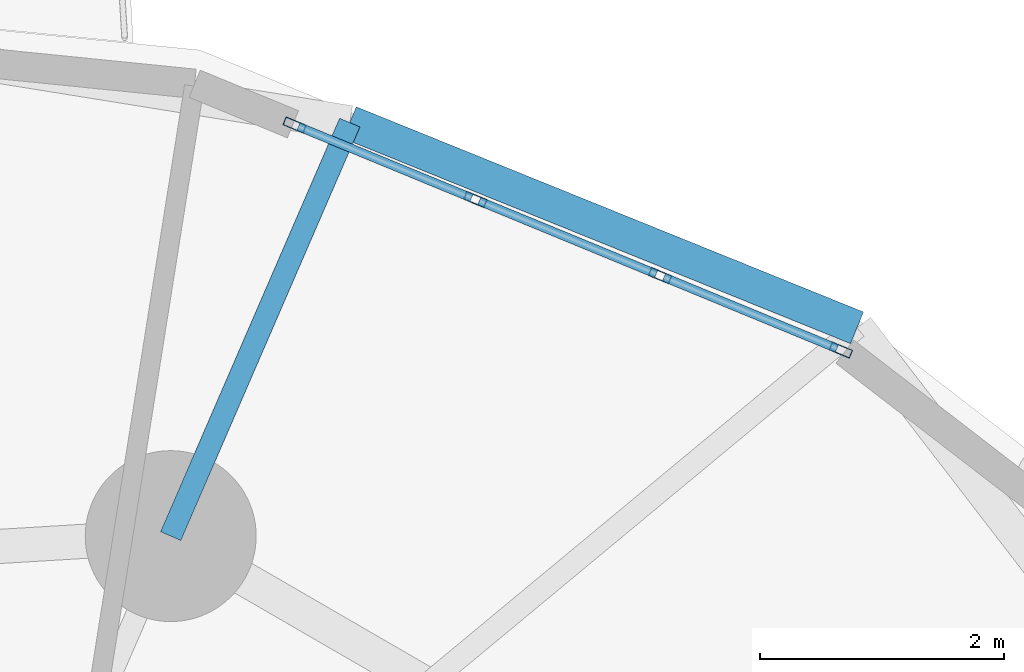
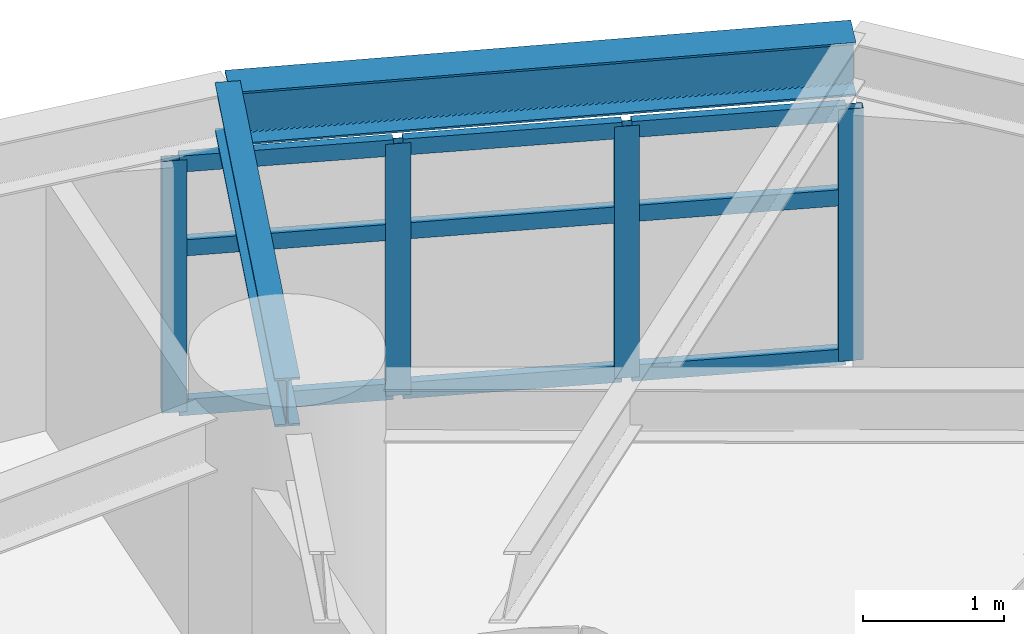
# One storey, part 6 of 17: 13 members, 2 beams, 1 element without a shape of its own.
"""IFC4 building model written with IfcOpenShell, lengths in metres."""

from ifc_helpers import new_model, si_unit, direction, frame, origin, origin_2d, place, context, subcontext, project, spatial, hollow_rectangle, i_section, extrude, material, layer, layer_set, material_profile, profile_set, type_object, element, aggregate, save


model = new_model("IFC4")

# Units and contexts
model_context = context("Model", 3, precision=1e-05, world=origin(), true_north=direction((0.0, 1.0)))
body_context = subcontext(model_context, "Body", "Model", "MODEL_VIEW")
ifc_project = project(units=[si_unit("LENGTHUNIT", "METRE"), si_unit("AREAUNIT", "SQUARE_METRE"), si_unit("VOLUMEUNIT", "CUBIC_METRE"), si_unit("PLANEANGLEUNIT", "RADIAN"), si_unit("MASSUNIT", "GRAM", prefix="KILO")], contexts=[model_context])

# Site, building, storey
site_placement = place(None, origin())
site = spatial("IfcSite", under=ifc_project, at=site_placement, CompositionType="ELEMENT")
building_placement = place(site_placement, origin())
building = spatial("IfcBuilding", under=site, at=building_placement, Name="Cununo Teusaquillo Station Towers", CompositionType="ELEMENT")
storey_placement = place(building_placement, frame((0.0, 0.0, 70.14990234375)))
storey = spatial("IfcBuildingStorey", under=building, at=storey_placement, Name="L21", CompositionType="ELEMENT", Elevation=70.14990234375)

# Beams
ifc_material_1 = material(Name="Steel ASTM A572 Grade 50", Category="steel")
ifc_material_profile_1 = material_profile(ifc_material_1, i_section(OverallWidth=0.180908203125, OverallDepth=0.4169921875, WebThickness=0.010986328125, FlangeThickness=0.018310546875, FilletRadius=0.012939453125, at=origin_2d()), Name="W16X57")
ifc_profile_set_1 = profile_set([ifc_material_profile_1], Name="Steel ASTM A572 Grade 50")
beam_type_1 = type_object("IfcBeamType", Name="BM-RAD-G2", PredefinedType="BEAM", material=ifc_profile_set_1)
beam_1_placement = place(storey_placement, frame((58.291015625, 37.63525390625, 2.461669921875), z_axis=(0.397421761279, 0.917636062751, 0.0), x_axis=(-0.917636062751, 0.397421761279, 0.0)))
element("IfcBeam", 1, at=beam_1_placement, inside=storey, type_object=beam_type_1, Name="L21 Tower B Perimeter Overhang Girder 02B", PredefinedType="BEAM", context=body_context, shape_type="SweptSolid", body=[
    extrude(i_section(OverallWidth=0.180908203125, OverallDepth=0.4169921875, WebThickness=0.010986328125, FlangeThickness=0.018310546875, FilletRadius=0.012939453125, at=origin_2d()), origin(), (0.0, 0.0, 1.0), 3.690185546875),
])
ifc_material_2 = material(Name="Steel ASTM A572 Grade 50", Category="steel")
ifc_material_profile_2 = material_profile(ifc_material_2, i_section(OverallWidth=0.280029296875, OverallDepth=0.462890625, WebThickness=0.0107421875, FlangeThickness=0.017333984375, FilletRadius=0.013916015625, at=origin_2d()), Name="W18X76")
ifc_profile_set_2 = profile_set([ifc_material_profile_2], Name="Steel ASTM A572 Grade 50")
beam_type_2 = type_object("IfcBeamType", Name="BM-RING-Z2", PredefinedType="SPANDREL", material=ifc_profile_set_2)
beam_2_placement = place(storey_placement, frame((63.9111328125, 39.341064453125, 2.4384765625), z_axis=(-0.927007712072, 0.375042266631, 0.0), x_axis=(-0.375042266631, -0.927007712072, 0.0)))
element("IfcBeam", 2, at=beam_2_placement, inside=storey, type_object=beam_type_2, Name="L21 Tower B Spandrel Ring Beam 02", PredefinedType="SPANDREL", context=body_context, shape_type="SweptSolid", body=[
    extrude(i_section(OverallWidth=0.280029296875, OverallDepth=0.462890625, WebThickness=0.0107421875, FlangeThickness=0.017333984375, FilletRadius=0.013916015625, at=origin_2d()), origin(), (0.0, 0.0, 1.0), 4.480712890625),
])

# Curtain wall, members
ifc_material_3 = material(Name="Ceramic-fritted dark low-E double glazing", Category="glass")
ifc_layer = layer(ifc_material_3, 0.179931640625)
ifc_layer_set = layer_set([ifc_layer], Name="Ceramic-fritted dark low-E double glazing")
curtain_wall_type = type_object("IfcCurtainWallType", Name="CW-SYS-04", PredefinedType="USERDEFINED", material=ifc_layer_set)
curtain_wall_placement = place(storey_placement, origin())
curtain_wall = element("IfcCurtainWall", 3, at=curtain_wall_placement, inside=storey, type_object=curtain_wall_type, Name="L21 Tower B Facade Curtain Wall C01", ObjectType="FRITTED GLAZING", PredefinedType="USERDEFINED")
ifc_material_4 = material(Name="Anodised dark bronze aluminium EN AW-6063-T6", Category="aluminium")
ifc_material_profile_3 = material_profile(ifc_material_4, hollow_rectangle(XDim=0.070068359375, YDim=0.179931640625, WallThickness=0.00390625, at=origin_2d()), Name="CW-MULL-70x180")
ifc_profile_set_3 = profile_set([ifc_material_profile_3], Name="Anodised dark bronze aluminium EN AW-6063-T6")
member_type_1 = type_object("IfcMemberType", Name="CWM-180", PredefinedType="MULLION", material=ifc_profile_set_3)
member_1_placement = place(storey_placement, frame((59.3056640625, 41.001953125, 0.0), z_axis=(0.0, 0.0, 1.0), x_axis=(0.381030560176, 0.924562443652, 0.0)))
member_1 = element("IfcMember", 4, at=member_1_placement, type_object=member_type_1, Name="CW-04 mullion 1", PredefinedType="MULLION", context=body_context, shape_type="SweptSolid", body=[
    extrude(hollow_rectangle(XDim=0.070068359375, YDim=0.179931640625, WallThickness=0.00390625, at=origin_2d()), origin(), (0.0, 0.0, 1.0), 2.17919921875),
])
member_2_placement = place(storey_placement, frame((60.785888671875, 40.39208984375, 0.0), z_axis=(0.0, 0.0, 1.0), x_axis=(0.381030560176, 0.924562443652, 0.0)))
member_2 = element("IfcMember", 5, at=member_2_placement, type_object=member_type_1, Name="CW-04 mullion 2", PredefinedType="MULLION", context=body_context, shape_type="SweptSolid", body=[
    extrude(hollow_rectangle(XDim=0.070068359375, YDim=0.179931640625, WallThickness=0.00390625, at=origin_2d()), origin(), (0.0, 0.0, 1.0), 2.17919921875),
])
member_3_placement = place(storey_placement, frame((62.298583984375, 39.7685546875, 0.0), z_axis=(0.0, 0.0, 1.0), x_axis=(0.381030560176, 0.924562443652, 0.0)))
member_3 = element("IfcMember", 6, at=member_3_placement, type_object=member_type_1, Name="CW-04 mullion 3", PredefinedType="MULLION", context=body_context, shape_type="SweptSolid", body=[
    extrude(hollow_rectangle(XDim=0.070068359375, YDim=0.179931640625, WallThickness=0.00390625, at=origin_2d()), origin(), (0.0, 0.0, 1.0), 2.17919921875),
])
member_4_placement = place(storey_placement, frame((63.77880859375, 39.158447265625, 0.0), z_axis=(0.0, 0.0, 1.0), x_axis=(0.381030560176, 0.924562443652, 0.0)))
member_4 = element("IfcMember", 7, at=member_4_placement, type_object=member_type_1, Name="CW-04 mullion 4", PredefinedType="MULLION", context=body_context, shape_type="SweptSolid", body=[
    extrude(hollow_rectangle(XDim=0.070068359375, YDim=0.179931640625, WallThickness=0.00390625, at=origin_2d()), origin(), (0.0, 0.0, 1.0), 2.17919921875),
])
ifc_material_5 = material(Name="Anodised dark bronze aluminium EN AW-6063-T6", Category="aluminium")
ifc_material_profile_4 = material_profile(ifc_material_5, hollow_rectangle(XDim=0.070068359375, YDim=0.139892578125, WallThickness=0.00390625, at=origin_2d()), Name="CW-TRAN-70x140")
ifc_profile_set_4 = profile_set([ifc_material_profile_4], Name="Anodised dark bronze aluminium EN AW-6063-T6")
member_type_2 = type_object("IfcMemberType", Name="CWT-140", PredefinedType="USERDEFINED", material=ifc_profile_set_4)
member_5_placement = place(storey_placement, frame((59.337890625, 40.98876953125, 0.03515625), z_axis=(0.924532726965, -0.381102659097, 0.0), x_axis=(0.381102659097, 0.924532726965, 0.0)))
member_5 = element("IfcMember", 8, at=member_5_placement, type_object=member_type_2, Name="CW-04 transom 1.1", ObjectType="TRANSOM", PredefinedType="USERDEFINED", context=body_context, shape_type="SweptSolid", body=[
    extrude(hollow_rectangle(XDim=0.070068359375, YDim=0.139892578125, WallThickness=0.00390625, at=origin_2d()), origin(), (0.0, 0.0, 1.0), 1.531005859375),
])
member_6_placement = place(storey_placement, frame((59.337890625, 40.98876953125, 1.416015625), z_axis=(0.924532726965, -0.381102659097, 0.0), x_axis=(0.381102659097, 0.924532726965, 0.0)))
member_6 = element("IfcMember", 9, at=member_6_placement, type_object=member_type_2, Name="CW-04 transom 1.2", ObjectType="TRANSOM", PredefinedType="USERDEFINED", context=body_context, shape_type="SweptSolid", body=[
    extrude(hollow_rectangle(XDim=0.070068359375, YDim=0.139892578125, WallThickness=0.00390625, at=origin_2d()), origin(), (0.0, 0.0, 1.0), 1.531005859375),
])
member_7_placement = place(storey_placement, frame((59.337890625, 40.98876953125, 2.14404296875), z_axis=(0.924532726965, -0.381102659097, 0.0), x_axis=(0.381102659097, 0.924532726965, 0.0)))
member_7 = element("IfcMember", 10, at=member_7_placement, type_object=member_type_2, Name="CW-04 transom 1.3", ObjectType="TRANSOM", PredefinedType="USERDEFINED", context=body_context, shape_type="SweptSolid", body=[
    extrude(hollow_rectangle(XDim=0.070068359375, YDim=0.139892578125, WallThickness=0.00390625, at=origin_2d()), origin(), (0.0, 0.0, 1.0), 1.531005859375),
])
member_8_placement = place(storey_placement, frame((60.818115234375, 40.378662109375, 0.03515625), z_axis=(0.924577983912, -0.380992849887, 0.0), x_axis=(0.380992849887, 0.924577983912, 0.0)))
member_8 = element("IfcMember", 11, at=member_8_placement, type_object=member_type_2, Name="CW-04 transom 2.1", ObjectType="TRANSOM", PredefinedType="USERDEFINED", context=body_context, shape_type="SweptSolid", body=[
    extrude(hollow_rectangle(XDim=0.070068359375, YDim=0.139892578125, WallThickness=0.00390625, at=origin_2d()), origin(), (0.0, 0.0, 1.0), 1.566162109375),
])
member_9_placement = place(storey_placement, frame((60.818115234375, 40.378662109375, 1.416015625), z_axis=(0.924577983912, -0.380992849887, 0.0), x_axis=(0.380992849887, 0.924577983912, 0.0)))
member_9 = element("IfcMember", 12, at=member_9_placement, type_object=member_type_2, Name="CW-04 transom 2.2", ObjectType="TRANSOM", PredefinedType="USERDEFINED", context=body_context, shape_type="SweptSolid", body=[
    extrude(hollow_rectangle(XDim=0.070068359375, YDim=0.139892578125, WallThickness=0.00390625, at=origin_2d()), origin(), (0.0, 0.0, 1.0), 1.566162109375),
])
member_10_placement = place(storey_placement, frame((60.818115234375, 40.378662109375, 2.14404296875), z_axis=(0.924577983912, -0.380992849887, 0.0), x_axis=(0.380992849887, 0.924577983912, 0.0)))
member_10 = element("IfcMember", 13, at=member_10_placement, type_object=member_type_2, Name="CW-04 transom 2.3", ObjectType="TRANSOM", PredefinedType="USERDEFINED", context=body_context, shape_type="SweptSolid", body=[
    extrude(hollow_rectangle(XDim=0.070068359375, YDim=0.139892578125, WallThickness=0.00390625, at=origin_2d()), origin(), (0.0, 0.0, 1.0), 1.566162109375),
])
member_11_placement = place(storey_placement, frame((62.330810546875, 39.75537109375, 0.03515625), z_axis=(0.924555881283, -0.381046483233, 0.0), x_axis=(0.381046483233, 0.924555881283, 0.0)))
member_11 = element("IfcMember", 14, at=member_11_placement, type_object=member_type_2, Name="CW-04 transom 3.1", ObjectType="TRANSOM", PredefinedType="USERDEFINED", context=body_context, shape_type="SweptSolid", body=[
    extrude(hollow_rectangle(XDim=0.070068359375, YDim=0.139892578125, WallThickness=0.00390625, at=origin_2d()), origin(), (0.0, 0.0, 1.0), 1.53125),
])
member_12_placement = place(storey_placement, frame((62.330810546875, 39.75537109375, 1.416015625), z_axis=(0.924555881283, -0.381046483233, 0.0), x_axis=(0.381046483233, 0.924555881283, 0.0)))
member_12 = element("IfcMember", 15, at=member_12_placement, type_object=member_type_2, Name="CW-04 transom 3.2", ObjectType="TRANSOM", PredefinedType="USERDEFINED", context=body_context, shape_type="SweptSolid", body=[
    extrude(hollow_rectangle(XDim=0.070068359375, YDim=0.139892578125, WallThickness=0.00390625, at=origin_2d()), origin(), (0.0, 0.0, 1.0), 1.53125),
])
member_13_placement = place(storey_placement, frame((62.330810546875, 39.75537109375, 2.14404296875), z_axis=(0.924555881283, -0.381046483233, 0.0), x_axis=(0.381046483233, 0.924555881283, 0.0)))
member_13 = element("IfcMember", 16, at=member_13_placement, type_object=member_type_2, Name="CW-04 transom 3.3", ObjectType="TRANSOM", PredefinedType="USERDEFINED", context=body_context, shape_type="SweptSolid", body=[
    extrude(hollow_rectangle(XDim=0.070068359375, YDim=0.139892578125, WallThickness=0.00390625, at=origin_2d()), origin(), (0.0, 0.0, 1.0), 1.53125),
])
aggregate(curtain_wall, [member_1, member_2, member_3, member_4, member_5, member_6, member_7, member_8, member_9, member_10, member_11, member_12, member_13])

save(model, "model.ifc")
